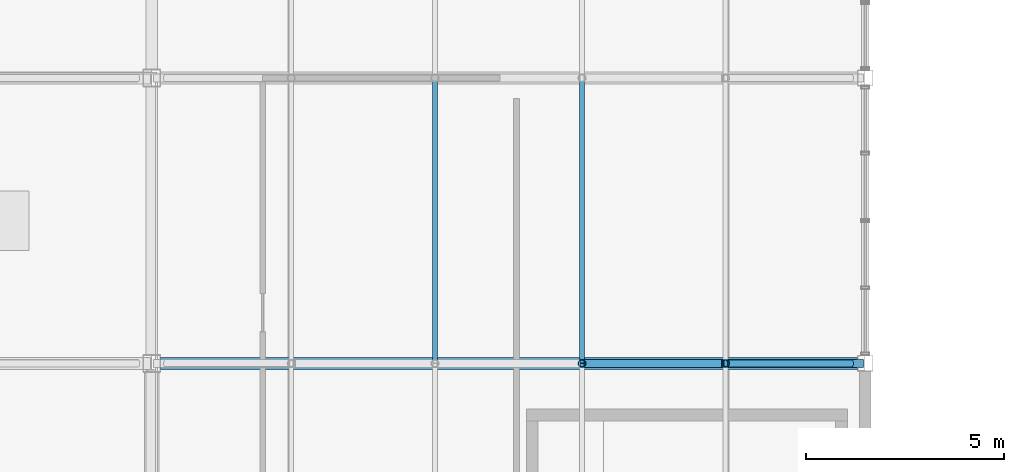
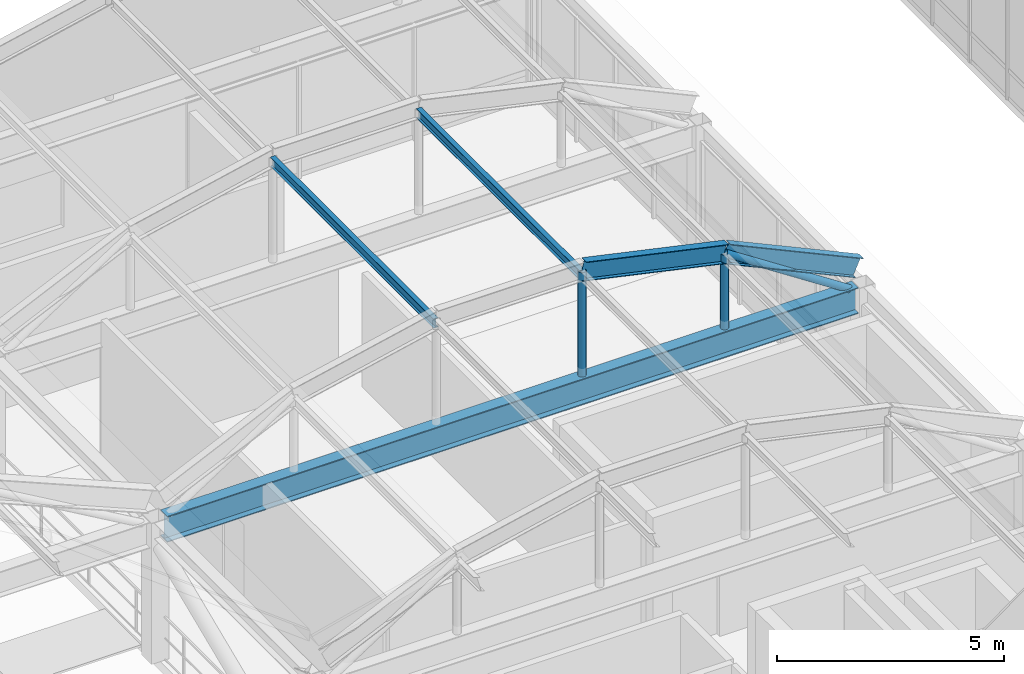
# One storey, part 50 of 106: 7 members, 1 beam.
"""IFC4 building model written with IfcOpenShell, lengths in metres."""

import ifcopenshell
import ifcopenshell.guid

model = None  # the IFC model being written
_history = None  # IfcOwnerHistory: only IFC2X3 demands one
_inside = {}  # id of a spatial element -> (the spatial element, [elements in it])
_under = {}  # id of a project, library or spatial element -> (it, [spatial elements below it])
_declared = {}  # id of a project -> (the project, [libraries it declares])
_typed = {}  # id of a type object -> (the type object, [elements of that type])
_made_of = {}  # id of a material, layer set ... -> (it, [elements and type objects made of it])


def new_model(schema):
    """Start an empty IFC model of exactly this schema.

    Asked for "IFC4X3", IfcOpenShell would pick the latest addendum, in which some entities
    have other attributes; the version numbers below select the first issue.
    IFC2X3 requires an IfcOwnerHistory on every rooted entity: one is made here for all.
    """
    global model, _history
    if schema == "IFC4X3":
        model = ifcopenshell.file(schema_version=(4, 3, 0, 0))
    else:
        model = ifcopenshell.file(schema=schema)
    _inside.clear()
    _under.clear()
    _declared.clear()
    _typed.clear()
    _made_of.clear()
    _history = None
    if model.schema == "IFC2X3":
        org = make("IfcOrganization", Name="unknown")
        user = make(
            "IfcPersonAndOrganization",
            ThePerson=make("IfcPerson", FamilyName="unknown"),
            TheOrganization=org,
        )
        app = make(
            "IfcApplication",
            ApplicationDeveloper=org,
            Version="unknown",
            ApplicationFullName="unknown",
            ApplicationIdentifier="unknown",
        )
        _history = make(
            "IfcOwnerHistory",
            OwningUser=user,
            OwningApplication=app,
            ChangeAction="ADDED",
            CreationDate=0,
        )
    return model


def make(cls, **values):
    """One entity of the class cls with the attributes given. An attribute that is None is left unset."""
    return model.create_entity(
        cls, **{name: value for name, value in values.items() if value is not None}
    )


def rooted(cls, **values):
    """An entity with a GlobalId (a new one), such as an element, a storey or a relation."""
    return make(cls, GlobalId=ifcopenshell.guid.new(), OwnerHistory=_history, **values)


def si_unit(unit_type, name, prefix=None):
    """IfcSIUnit, for example si_unit("LENGTHUNIT", "METRE", prefix="MILLI")."""
    return make("IfcSIUnit", UnitType=unit_type, Prefix=prefix, Name=name)


def assignment(units):
    """IfcUnitAssignment: the units of a project."""
    return None if units is None else make("IfcUnitAssignment", Units=units)


def point(xyz):
    """IfcCartesianPoint."""
    return None if xyz is None else make("IfcCartesianPoint", Coordinates=xyz)


def direction(xyz):
    """IfcDirection."""
    return None if xyz is None else make("IfcDirection", DirectionRatios=xyz)


def frame(location, z_axis=None, x_axis=None):
    """IfcAxis2Placement3D, a coordinate frame: its origin and axes. An axis left out is left unset."""
    return make(
        "IfcAxis2Placement3D",
        Location=point(location),
        Axis=direction(z_axis),
        RefDirection=direction(x_axis),
    )


def frame_2d(location, x_axis=None):
    """IfcAxis2Placement2D, a coordinate frame in the plane: its origin and x axis."""
    return make(
        "IfcAxis2Placement2D", Location=point(location), RefDirection=direction(x_axis)
    )


def origin():
    """The frame at (0, 0, 0) with its axes left unset."""
    return frame((0.0, 0.0, 0.0))


def origin_2d():
    """The frame at (0, 0) in the plane with its x axis left unset."""
    return frame_2d((0.0, 0.0))


def place(relative_to, where):
    """IfcLocalPlacement: puts the frame where relative to a parent placement (None: the world)."""
    return make(
        "IfcLocalPlacement", PlacementRelTo=relative_to, RelativePlacement=where
    )


def context(
    kind, dimensions, precision=None, world=None, true_north=None, identifier=None
):
    """IfcGeometricRepresentationContext, for example the 3D "Model" context."""
    return make(
        "IfcGeometricRepresentationContext",
        ContextIdentifier=identifier,
        ContextType=kind,
        CoordinateSpaceDimension=dimensions,
        Precision=precision,
        WorldCoordinateSystem=world,
        TrueNorth=true_north,
    )


def subcontext(parent, identifier, kind, view, scale=None):
    """IfcGeometricRepresentationSubContext, for example "Body" below "Model"."""
    return make(
        "IfcGeometricRepresentationSubContext",
        ContextIdentifier=identifier,
        ContextType=kind,
        ParentContext=parent,
        TargetScale=scale,
        TargetView=view,
    )


def project(units=None, contexts=None):
    """IfcProject with its units and contexts."""
    return rooted(
        "IfcProject",
        Name="project",
        RepresentationContexts=contexts,
        UnitsInContext=assignment(units),
    )


def spatial(cls, under=None, at=None, **own):
    """A site, building, storey or space (cls), placed at a placement, below another one or the project."""
    s = rooted(cls, ObjectPlacement=at, **own)
    if under is not None:
        _under.setdefault(under.id(), (under, []))[1].append(s)
    return s


def profile(cls, at=None, kind="AREA", **sizes):
    """A parametric profile (cls). Its sizes go by their IFC names, for example OverallWidth=200.0."""
    return make(cls, ProfileType=kind, Position=at, **sizes)


def hollow_circle(**sizes):
    """IfcCircleHollowProfileDef."""
    return profile("IfcCircleHollowProfileDef", **sizes)


def i_section(**sizes):
    """IfcIShapeProfileDef."""
    return profile("IfcIShapeProfileDef", **sizes)


def extrude(swept, where, along, depth):
    """IfcExtrudedAreaSolid: the profile swept, set in the frame where, extruded along a direction by depth."""
    return make(
        "IfcExtrudedAreaSolid",
        SweptArea=swept,
        Position=where,
        ExtrudedDirection=direction(along),
        Depth=depth,
    )


def shape(context_of_items, identifier, shape_type, items):
    """IfcShapeRepresentation: the items that make up one representation, for example the "Body"."""
    return make(
        "IfcShapeRepresentation",
        ContextOfItems=context_of_items,
        RepresentationIdentifier=identifier,
        RepresentationType=shape_type,
        Items=items,
    )


def material(Name=None, Category=None):
    """IfcMaterial."""
    return make("IfcMaterial", Name=Name, Category=Category)


def material_profile(
    of_material, cross_section, Name=None, Category=None, Priority=None
):
    """IfcMaterialProfile: a cross section and its material."""
    return make(
        "IfcMaterialProfile",
        Name=Name,
        Material=of_material,
        Profile=cross_section,
        Priority=Priority,
        Category=Category,
    )


def profile_set(profiles, Name=None, composite=None):
    """IfcMaterialProfileSet."""
    return make(
        "IfcMaterialProfileSet",
        Name=Name,
        MaterialProfiles=profiles,
        CompositeProfile=composite,
    )


def made_of(thing, what):
    """Note that an element or type object is made of a material, layer set ...; save() writes the relation."""
    if what is not None:
        _made_of.setdefault(what.id(), (what, []))[1].append(thing)
    return thing


def type_object(cls, material=None, **own):
    """A type object (cls), such as IfcWallType, which elements share."""
    return made_of(rooted(cls, **own), material)


def element(
    cls,
    number,
    at=None,
    inside=None,
    cuts=None,
    type_object=None,
    material=None,
    context=None,
    identifier="Body",
    shape_type=None,
    held_by="IfcProductDefinitionShape",
    body=None,
    shapes=None,
    **own,
):
    """One element of the class cls, such as IfcWall. Its Tag is "e" and its number.

    at: its placement. inside: the storey or other place that contains it. cuts: it is an
    opening in that element (IfcRelVoidsElement). A single representation is given by context,
    identifier, shape_type and body (its items); several are given by shapes. held_by: the class
    of the entity that holds the representations. save() writes the other relations.
    """
    e = rooted(cls, Tag="e%d" % number, ObjectPlacement=at, **own)
    if body is not None:
        shapes = [shape(context, identifier, shape_type, body)]
    if shapes is not None:
        e.Representation = make(held_by, Representations=shapes)
    if inside is not None:
        _inside.setdefault(inside.id(), (inside, []))[1].append(e)
    if cuts is not None:
        rooted(
            "IfcRelVoidsElement", RelatingBuildingElement=cuts, RelatedOpeningElement=e
        )
    if type_object is not None:
        _typed.setdefault(type_object.id(), (type_object, []))[1].append(e)
    return made_of(e, material)


def aggregate(whole, parts):
    """IfcRelAggregates: a whole, such as a stair, and the parts it consists of."""
    return rooted("IfcRelAggregates", RelatingObject=whole, RelatedObjects=parts)


def save(model, path):
    """Write the relations noted so far, then the file.

    IfcRelAggregates (storeys below a building ...), IfcRelContainedInSpatialStructure (elements
    in a storey), IfcRelDefinesByType, IfcRelAssociatesMaterial and IfcRelDeclares: one each for
    every whole, place, type object, material and project.
    """
    for whole, parts in _under.values():
        aggregate(whole, parts)
    for where, things in _inside.values():
        rooted(
            "IfcRelContainedInSpatialStructure",
            RelatedElements=things,
            RelatingStructure=where,
        )
    for kind, things in _typed.values():
        rooted("IfcRelDefinesByType", RelatedObjects=things, RelatingType=kind)
    for what, things in _made_of.values():
        rooted("IfcRelAssociatesMaterial", RelatedObjects=things, RelatingMaterial=what)
    for by, libraries in _declared.values():
        rooted("IfcRelDeclares", RelatingContext=by, RelatedDefinitions=libraries)
    model.write(path)


model = new_model("IFC4")

# Units and contexts
model_context = context("Model", 3, precision=1e-05, world=origin(), true_north=direction((0.0, 1.0)))
body_context = subcontext(model_context, "Body", "Model", "MODEL_VIEW")
ifc_project = project(units=[si_unit("LENGTHUNIT", "METRE"), si_unit("AREAUNIT", "SQUARE_METRE"), si_unit("VOLUMEUNIT", "CUBIC_METRE"), si_unit("PLANEANGLEUNIT", "RADIAN"), si_unit("MASSUNIT", "GRAM", prefix="KILO")], contexts=[model_context])

# Site, building, storey
site_placement = place(None, origin())
site = spatial("IfcSite", under=ifc_project, at=site_placement, CompositionType="ELEMENT")
building_placement = place(site_placement, origin())
building = spatial("IfcBuilding", under=site, at=building_placement, Name="Kazanami Central Library", CompositionType="ELEMENT")
storey_placement = place(building_placement, frame((0.0, 0.0, 12.800048828125)))
storey = spatial("IfcBuildingStorey", under=building, at=storey_placement, Name="L04", CompositionType="ELEMENT", Elevation=12.800048828125)

# Beam
ifc_material_1 = material(Name="Steel SN490B (325 MPa)", Category="steel")
ifc_material_profile_1 = material_profile(ifc_material_1, i_section(OverallWidth=0.300048828125, OverallDepth=0.699951171875, WebThickness=0.012939453125, FlangeThickness=0.02392578125, at=origin_2d()), Name="H-700x300x13x24")
ifc_profile_set_1 = profile_set([ifc_material_profile_1], Name="Steel SN490B (325 MPa)")
beam_type = type_object("IfcBeamType", Name="BM-G-AT", PredefinedType="BEAM", material=ifc_profile_set_1)
beam_placement = place(storey_placement, frame((90.222900390625, 79.199951171875, 3.429931640625), z_axis=(1.0, 0.0, 0.0), x_axis=(0.0, 1.0, 0.0)))
element("IfcBeam", 1, at=beam_placement, inside=storey, type_object=beam_type, Name="Barrel Vault Springing Tie Girder G-AT L04 E Grid M", PredefinedType="BEAM", context=body_context, shape_type="SweptSolid", body=[
    extrude(i_section(OverallWidth=0.300048828125, OverallDepth=0.699951171875, WebThickness=0.012939453125, FlangeThickness=0.02392578125, at=origin_2d()), origin(), (0.0, 0.0, 1.0), 17.5791015625),
])

# Members
ifc_material_profile_2 = material_profile(ifc_material_1, i_section(OverallWidth=0.199951171875, OverallDepth=0.5, WebThickness=0.010009765625, FlangeThickness=0.01611328125, at=origin_2d()), Name="H-500x200x10x16")
ifc_profile_set_2 = profile_set([ifc_material_profile_2], Name="Steel SN490B (325 MPa)")
member_type_1 = type_object("IfcMemberType", Name="MEM-AR-02", PredefinedType="CHORD", material=ifc_profile_set_2)
for number, where, z_axis, x_axis, name in (
    (2, (100.85546875, 79.199951171875, 6.604736328125), (0.976745687277, 0.0, -0.214401171606), (0.0, 1.0, 0.0), "Barrel Vault Arch Rib AR-02 VAULT-EAST Grid M Seg 4"),
    (3, (104.480224609375, 79.199951171875, 5.80908203125), (0.908074880538, 0.0, -0.41880784536), (0.0, 1.0, 0.0), "Barrel Vault Arch Rib AR-02 VAULT-EAST Grid M Seg 5"),
):
    element("IfcMember", number, at=place(storey_placement, frame(where, z_axis=z_axis, x_axis=x_axis)), inside=storey, type_object=member_type_1, Name=name, PredefinedType="CHORD", context=body_context, shape_type="SweptSolid", body=[
        extrude(i_section(OverallWidth=0.199951171875, OverallDepth=0.5, WebThickness=0.010009765625, FlangeThickness=0.01611328125, at=origin_2d()), origin(), (0.0, 0.0, 1.0), 3.7109375),
    ])
ifc_material_2 = material(Name="Steel SN400B (235 MPa)", Category="steel")
ifc_material_profile_3 = material_profile(ifc_material_2, i_section(OverallWidth=0.125, OverallDepth=0.25, WebThickness=0.006103515625, FlangeThickness=0.009033203125, at=origin_2d()), Name="H-250x125x6x9")
ifc_profile_set_3 = profile_set([ifc_material_profile_3], Name="Steel SN400B (235 MPa)")
member_type_2 = type_object("IfcMemberType", Name="MEM-PUR-250", PredefinedType="PURLIN", material=ifc_profile_set_3)
for number, where, z_axis, x_axis, name in (
    (4, (97.14453125, 79.205078125, 6.464599609375), (0.0, 1.0, 0.0), (-1.0, 0.0, 0.0), "Barrel Vault Longitudinal Purlin VAULT-EAST Knuckle 2.3"),
    (5, (100.85546875, 79.205078125, 6.464599609375), (0.0, 1.0, 0.0), (-1.0, 0.0, 0.0), "Barrel Vault Longitudinal Purlin VAULT-EAST Knuckle 3.3"),
):
    element("IfcMember", number, at=place(storey_placement, frame(where, z_axis=z_axis, x_axis=x_axis)), inside=storey, type_object=member_type_2, Name=name, PredefinedType="PURLIN", context=body_context, shape_type="SweptSolid", body=[
        extrude(i_section(OverallWidth=0.125, OverallDepth=0.25, WebThickness=0.006103515625, FlangeThickness=0.009033203125, at=origin_2d()), origin(), (0.0, 0.0, 1.0), 7.18994140625),
    ])
ifc_material_3 = material(Name="Steel STK490 (315 MPa)", Category="steel")
ifc_material_profile_4 = material_profile(ifc_material_3, hollow_circle(Radius=0.095458984375, WallThickness=0.007080078125, at=origin_2d()), Name="CHS-190.7x7.0")
ifc_profile_set_4 = profile_set([ifc_material_profile_4], Name="Steel STK490 (315 MPa)")
member_type_3 = type_object("IfcMemberType", Name="MEM-VST-190", PredefinedType="STRUT", material=ifc_profile_set_4)
member_1_placement = place(storey_placement, frame((100.85546875, 79.199951171875, 3.71484375), z_axis=(0.0, 0.0, 1.0), x_axis=(1.0, 0.0, 0.0)))
element("IfcMember", 6, at=member_1_placement, inside=storey, type_object=member_type_3, Name="Barrel Vault Tied-Arch Web Strut VAULT-EAST Grid M Knuckle 3", PredefinedType="STRUT", context=body_context, shape_type="SweptSolid", body=[
    extrude(hollow_circle(Radius=0.095458984375, WallThickness=0.007080078125, at=origin_2d()), origin(), (0.0, 0.0, 1.0), 2.869873046875),
])
member_2_placement = place(storey_placement, frame((104.480224609375, 79.199951171875, 3.71484375), z_axis=(0.0, 0.0, 1.0), x_axis=(1.0, 0.0, 0.0)))
element("IfcMember", 7, at=member_2_placement, inside=storey, type_object=member_type_3, Name="Barrel Vault Tied-Arch Web Strut VAULT-EAST Grid M Knuckle 4", PredefinedType="STRUT", context=body_context, shape_type="SweptSolid", body=[
    extrude(hollow_circle(Radius=0.095458984375, WallThickness=0.007080078125, at=origin_2d()), origin(), (0.0, 0.0, 1.0), 2.07421875),
])
member_3_placement = place(storey_placement, frame((107.64990234375, 79.199951171875, 3.71484375), z_axis=(-0.836759504137, 0.0, 0.547570572837), x_axis=(0.0, -1.0, 0.0)))
element("IfcMember", 8, at=member_3_placement, inside=storey, type_object=member_type_3, Name="Barrel Vault Tied-Arch Diagonal VAULT-EAST Grid M (R)", PredefinedType="BRACE", context=body_context, shape_type="SweptSolid", body=[
    extrude(hollow_circle(Radius=0.095458984375, WallThickness=0.007080078125, at=origin_2d()), origin(), (0.0, 0.0, 1.0), 3.7880859375),
])

save(model, "model.ifc")
